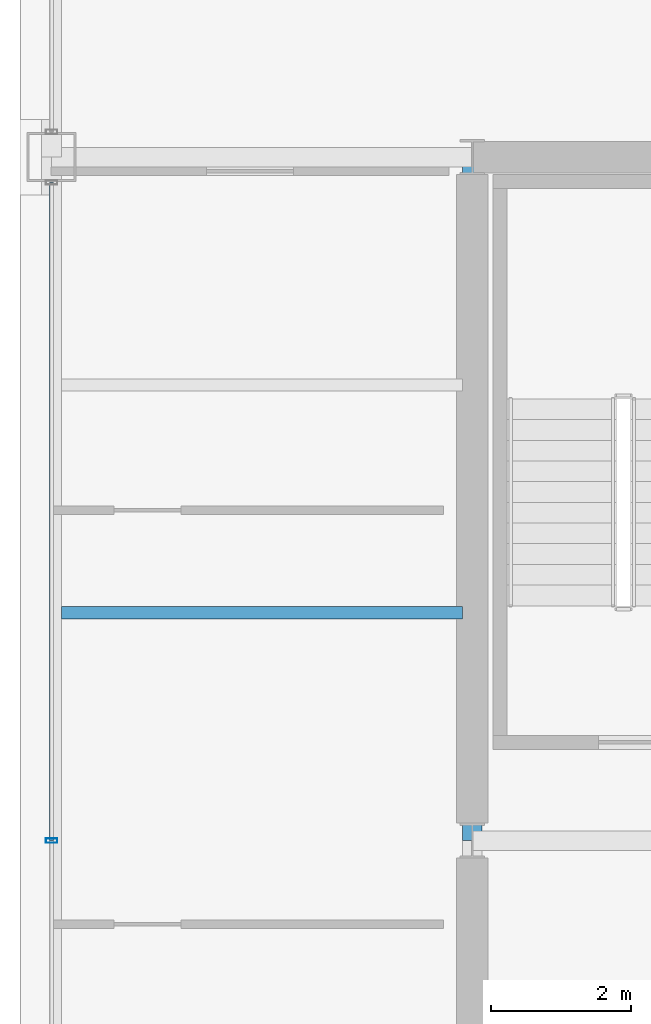
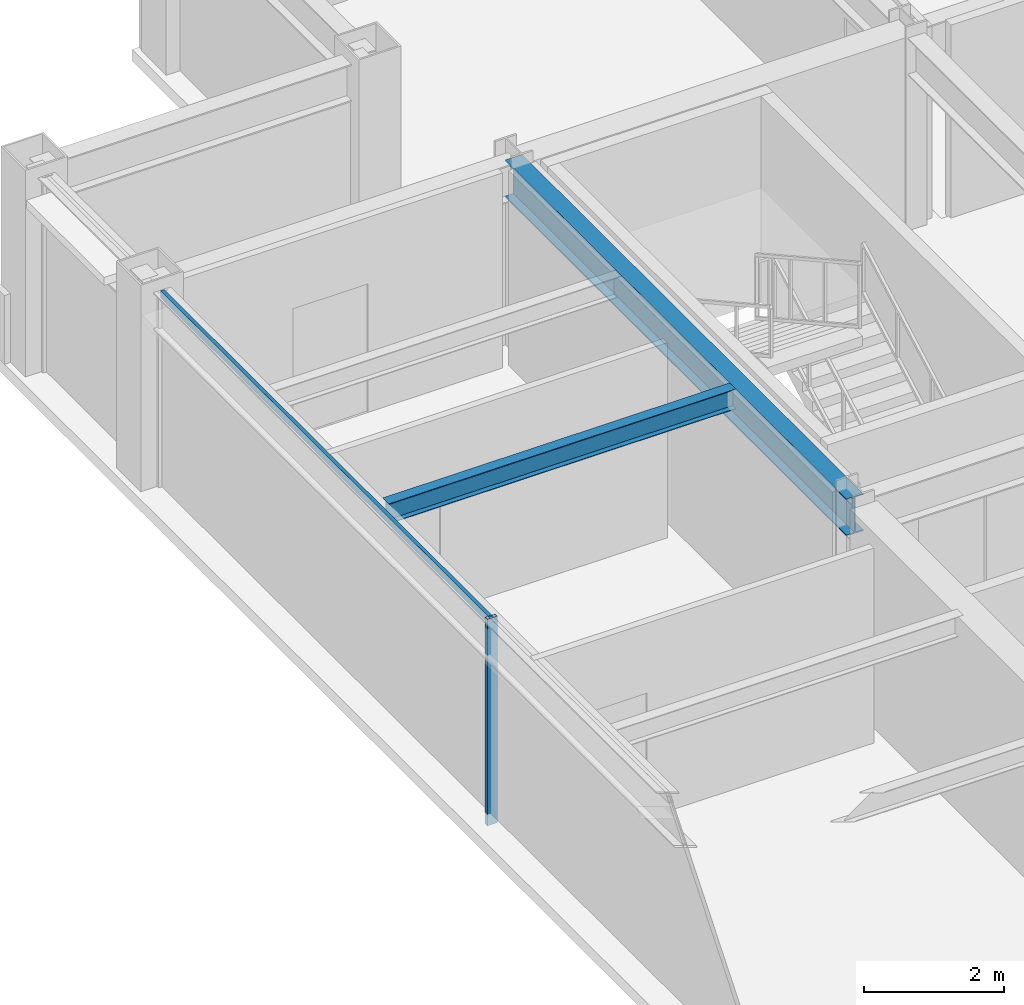
# One storey, part 8 of 30: 2 beams, 2 members, 1 element without a shape of its own.
"""IFC4 building model written with IfcOpenShell, lengths in metres."""

from ifc_helpers import new_model, si_unit, direction, frame, origin, origin_2d, place, context, subcontext, project, spatial, hollow_rectangle, i_section, extrude, material, layer, layer_set, material_profile, profile_set, type_object, element, aggregate, save


model = new_model("IFC4")

# Units and contexts
model_context = context("Model", 3, precision=1e-05, world=origin(), true_north=direction((0.0, 1.0)))
body_context = subcontext(model_context, "Body", "Model", "MODEL_VIEW")
ifc_project = project(units=[si_unit("LENGTHUNIT", "METRE"), si_unit("AREAUNIT", "SQUARE_METRE"), si_unit("VOLUMEUNIT", "CUBIC_METRE"), si_unit("PLANEANGLEUNIT", "RADIAN"), si_unit("MASSUNIT", "GRAM", prefix="KILO")], contexts=[model_context])

# Site, building, storey
site_placement = place(None, origin())
site = spatial("IfcSite", under=ifc_project, at=site_placement, CompositionType="ELEMENT")
building_placement = place(site_placement, origin())
building = spatial("IfcBuilding", under=site, at=building_placement, Name="Brelmoor Portico Tower", CompositionType="ELEMENT")
storey_placement = place(building_placement, frame((0.0, 0.0, 187.5)))
storey = spatial("IfcBuildingStorey", under=building, at=storey_placement, Name="L49", CompositionType="ELEMENT", Elevation=187.5)

# Beams
ifc_material_1 = material(Name="Steel Q355B", Category="steel")
ifc_material_profile_1 = material_profile(ifc_material_1, i_section(OverallWidth=0.175048828125, OverallDepth=0.35009765625, WebThickness=0.007080078125, FlangeThickness=0.010986328125, at=origin_2d()), Name="HN 350x175x7x11")
ifc_profile_set_1 = profile_set([ifc_material_profile_1], Name="Steel Q355B")
beam_type_1 = type_object("IfcBeamType", Name="BM-JS-350", PredefinedType="JOIST", material=ifc_profile_set_1)
beam_1_placement = place(storey_placement, frame((-20.409912109375, 3.25, 3.22509765625), z_axis=(1.0, 0.0, 0.0), x_axis=(0.0, 1.0, 0.0)))
element("IfcBeam", 1, at=beam_1_placement, inside=storey, type_object=beam_type_1, Name="L49 Secondary Wing Joist JS-W07", PredefinedType="JOIST", context=body_context, shape_type="SweptSolid", body=[
    extrude(i_section(OverallWidth=0.175048828125, OverallDepth=0.35009765625, WebThickness=0.007080078125, FlangeThickness=0.010986328125, at=origin_2d()), origin(), (0.0, 0.0, 1.0), 5.719970703125),
])
ifc_material_profile_2 = material_profile(ifc_material_1, i_section(OverallWidth=0.280029296875, OverallDepth=0.64990234375, WebThickness=0.012939453125, FlangeThickness=0.02197265625, at=origin_2d()), Name="HN 650x280x13x22")
ifc_profile_set_2 = profile_set([ifc_material_profile_2], Name="Steel Q355B")
beam_type_2 = type_object("IfcBeamType", Name="BM-PG-650", PredefinedType="BEAM", material=ifc_profile_set_2)
beam_2_placement = place(storey_placement, frame((-14.550048828125, 0.0, 3.074951171875), z_axis=(0.0, 1.0, 0.0), x_axis=(-1.0, 0.0, 0.0)))
element("IfcBeam", 2, at=beam_2_placement, inside=storey, type_object=beam_type_2, Name="L49 Primary Floor Girder PG-02", PredefinedType="BEAM", context=body_context, shape_type="SweptSolid", body=[
    extrude(i_section(OverallWidth=0.280029296875, OverallDepth=0.64990234375, WebThickness=0.012939453125, FlangeThickness=0.02197265625, at=origin_2d()), origin(), (0.0, 0.0, 1.0), 9.75),
])

# Curtain wall, members
ifc_material_2 = material(Name="Anodised Aluminium Alloy 6063-T6", Category="aluminium")
ifc_layer = layer(ifc_material_2, 0.179931640625)
ifc_layer_set = layer_set([ifc_layer], Name="Anodised Aluminium Alloy 6063-T6")
curtain_wall_type = type_object("IfcCurtainWallType", Name="CW-TOWER-Z3-XB", PredefinedType="NOTDEFINED", material=ifc_layer_set)
curtain_wall_placement = place(storey_placement, origin())
curtain_wall = element("IfcCurtainWall", 3, at=curtain_wall_placement, inside=storey, type_object=curtain_wall_type, Name="L49 Curtain Wall CW-L49-03-2", PredefinedType="NOTDEFINED")
ifc_material_profile_3 = material_profile(ifc_material_2, hollow_rectangle(XDim=0.06494140625, YDim=0.1650390625, WallThickness=0.00390625, at=origin_2d()), Name="ALU MULLION 65x165")
ifc_profile_set_3 = profile_set([ifc_material_profile_3], Name="Anodised Aluminium Alloy 6063-T6")
member_type_1 = type_object("IfcMemberType", Name="MB-CW-MULL-165", PredefinedType="MULLION", material=ifc_profile_set_3)
member_1_placement = place(storey_placement, frame((-20.550048828125, 0.0, -0.199951171875), z_axis=(0.0, 0.0, 1.0), x_axis=(0.0, 1.0, 0.0)))
member_1 = element("IfcMember", 4, at=member_1_placement, type_object=member_type_1, Name="CW-L49-03-2 Mullion 01", PredefinedType="MULLION", context=body_context, shape_type="SweptSolid", body=[
    extrude(hollow_rectangle(XDim=0.06494140625, YDim=0.1650390625, WallThickness=0.00390625, at=origin_2d()), origin(), (0.0, 0.0, 1.0), 3.599853515625),
])
ifc_material_profile_4 = material_profile(ifc_material_2, hollow_rectangle(XDim=0.06005859375, YDim=0.125, WallThickness=0.00341796875, at=origin_2d()), Name="ALU TRANSOM 60x125")
ifc_profile_set_4 = profile_set([ifc_material_profile_4], Name="Anodised Aluminium Alloy 6063-T6")
member_type_2 = type_object("IfcMemberType", Name="MB-CW-TRAN-125", PredefinedType="USERDEFINED", material=ifc_profile_set_4)
member_2_placement = place(storey_placement, frame((-20.550048828125, 0.0, 3.33740234375), z_axis=(0.0, 1.0, 0.0), x_axis=(-1.0, 0.0, 0.0)))
member_2 = element("IfcMember", 5, at=member_2_placement, type_object=member_type_2, Name="CW-L49-03-2 Transom 1-01", ObjectType="TRANSOM", PredefinedType="USERDEFINED", context=body_context, shape_type="SweptSolid", body=[
    extrude(hollow_rectangle(XDim=0.06005859375, YDim=0.125, WallThickness=0.00341796875, at=origin_2d()), origin(), (0.0, 0.0, 1.0), 9.389892578125),
])
aggregate(curtain_wall, [member_1, member_2])

save(model, "model.ifc")
